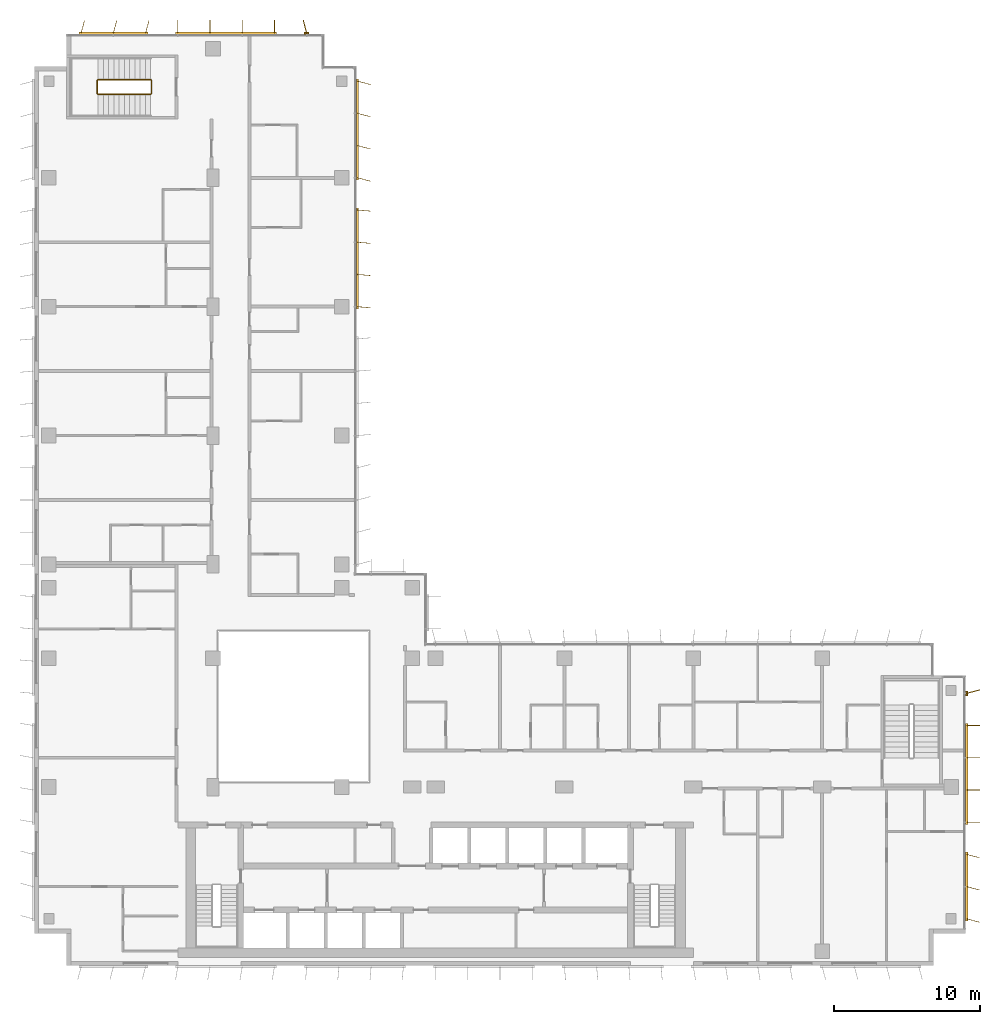
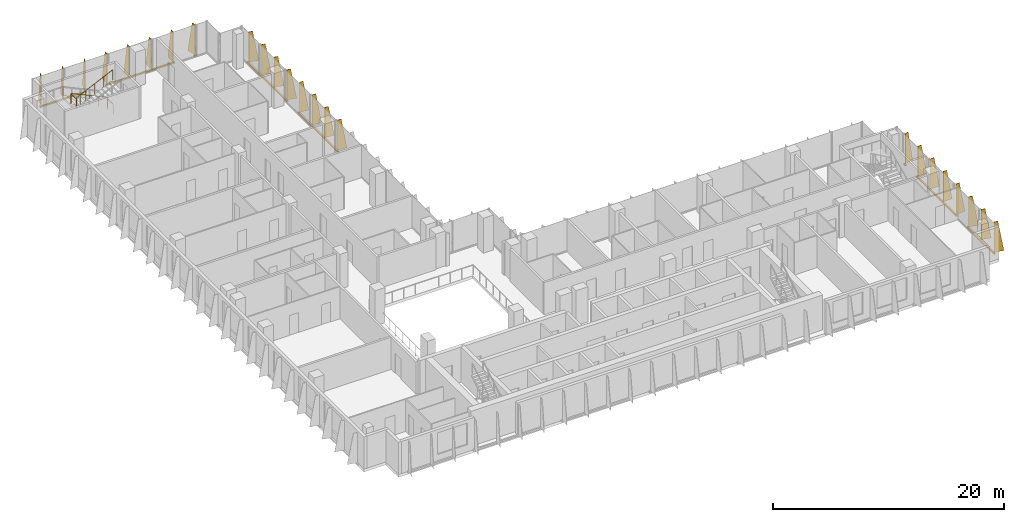
# One storey, part 21 of 21: 8 shading devices, 1 railing.
"""IFC4 building model written with IfcOpenShell, lengths in metres."""

from ifc_helpers import new_model, si_unit, direction, frame, origin, origin_2d, place, context, subcontext, project, spatial, polyline, rectangle, circle, outline, extrude, source, transform, mapped, material, layer, layer_set, type_object, element, save


model = new_model("IFC4")

# Units and contexts
model_context = context("Model", 3, precision=1e-05, world=origin(), true_north=direction((0.0, 1.0)))
body_context = subcontext(model_context, "Body", "Model", "MODEL_VIEW")
ifc_project = project(units=[si_unit("LENGTHUNIT", "METRE"), si_unit("AREAUNIT", "SQUARE_METRE"), si_unit("VOLUMEUNIT", "CUBIC_METRE"), si_unit("PLANEANGLEUNIT", "RADIAN"), si_unit("MASSUNIT", "GRAM", prefix="KILO")], contexts=[model_context])

# Site, building, storey
site_placement = place(None, origin())
site = spatial("IfcSite", under=ifc_project, at=site_placement, CompositionType="ELEMENT")
building_placement = place(site_placement, origin())
building = spatial("IfcBuilding", under=site, at=building_placement, Name="Kemantara Hotel Tower", CompositionType="ELEMENT")
storey_placement = place(building_placement, frame((0.0, 0.0, 211.699951171875)))
storey = spatial("IfcBuildingStorey", under=building, at=storey_placement, Name="L52", CompositionType="ELEMENT", Elevation=211.699951171875)

# Railing
ifc_material_1 = material(Name="Stainless steel balustrade", Category="steel")
railing_type = type_object("IfcRailingType", Name="Stair guard 1100 mm", PredefinedType="GUARDRAIL", material=ifc_material_1)
railing_placement = place(storey_placement, frame((7.949951171875, 59.5, 3.699951171875)))
element("IfcRailing", 1, at=railing_placement, inside=storey, type_object=railing_type, Name="L52 ST4 stair guard 1", PredefinedType="GUARDRAIL", context=body_context, shape_type="SweptSolid", body=[
    extrude(circle(Radius=0.02392578125, at=origin_2d()), frame((0.0, 0.0, 1.076171875), z_axis=(-0.906018243939, 0.0, -0.423238634402), x_axis=(0.0, -1.0, 0.0)), (0.0, 0.0, 1.0), 3.973388671875),
    extrude(circle(Radius=0.02392578125, at=origin_2d()), frame((-3.599853515625, 0.0, -0.60546875), z_axis=(-0.274243871929, 0.274243871929, -0.92172696468), x_axis=(-0.707106781187, -0.707106781187, 0.0)), (0.0, 0.0, 1.0), 0.1826171875),
    extrude(circle(Radius=0.02392578125, at=origin_2d()), frame((-3.64990234375, 0.050048828125, -0.77392578125), z_axis=(0.0, 1.0, 0.0), x_axis=(-1.0, 0.0, 0.0)), (0.0, 0.0, 1.0), 0.89990234375),
    extrude(circle(Radius=0.02392578125, at=origin_2d()), frame((-3.64990234375, 0.949951171875, -0.77392578125), z_axis=(0.707106781187, 0.707106781187, 0.0), x_axis=(-0.707106781187, 0.707106781187, 0.0)), (0.0, 0.0, 1.0), 0.07080078125),
    extrude(circle(Radius=0.02392578125, at=origin_2d()), frame((-3.599853515625, 1.0, -0.77392578125), z_axis=(0.905994681025, 0.0, -0.423289071386), x_axis=(0.0, 1.0, 0.0)), (0.0, 0.0, 1.0), 3.973388671875),
    extrude(circle(Radius=0.02392578125, at=origin_2d()), frame((0.0, 1.0, -2.45556640625), z_axis=(0.274243871929, -0.274243871929, -0.92172696468), x_axis=(0.707106781187, 0.707106781187, 0.0)), (0.0, 0.0, 1.0), 0.1826171875),
    extrude(circle(Radius=0.02392578125, at=origin_2d()), frame((0.050048828125, 0.949951171875, -2.6240234375), z_axis=(0.0, -1.0, 0.0), x_axis=(1.0, 0.0, 0.0)), (0.0, 0.0, 1.0), 0.89990234375),
    extrude(circle(Radius=0.02099609375, at=origin_2d()), origin(), (0.0, 0.0, 1.0), 1.052001953125),
    extrude(circle(Radius=0.02099609375, at=origin_2d()), frame((-0.89990234375, 0.0, -0.42041015625)), (0.0, 0.0, 1.0), 1.052001953125),
    extrude(circle(Radius=0.02099609375, at=origin_2d()), frame((-1.7998046875, 0.0, -0.8408203125)), (0.0, 0.0, 1.0), 1.052001953125),
    extrude(circle(Radius=0.02099609375, at=origin_2d()), frame((-2.699951171875, 0.0, -1.26123046875)), (0.0, 0.0, 1.0), 1.052001953125),
    extrude(circle(Radius=0.02099609375, at=origin_2d()), frame((-3.599853515625, 0.0, -1.681640625)), (0.0, 0.0, 1.0), 1.052001953125),
    extrude(circle(Radius=0.02099609375, at=origin_2d()), frame((-3.64990234375, 0.050048828125, -1.849853515625)), (0.0, 0.0, 1.0), 1.052001953125),
    extrude(circle(Radius=0.02099609375, at=origin_2d()), frame((-3.64990234375, 0.949951171875, -1.849853515625)), (0.0, 0.0, 1.0), 1.052001953125),
    extrude(circle(Radius=0.02099609375, at=origin_2d()), frame((-3.599853515625, 1.0, -1.849853515625)), (0.0, 0.0, 1.0), 1.052001953125),
    extrude(circle(Radius=0.02099609375, at=origin_2d()), frame((-2.699951171875, 1.0, -2.270263671875)), (0.0, 0.0, 1.0), 1.052001953125),
    extrude(circle(Radius=0.02099609375, at=origin_2d()), frame((-1.7998046875, 1.0, -2.69091796875)), (0.0, 0.0, 1.0), 1.052001953125),
    extrude(circle(Radius=0.02099609375, at=origin_2d()), frame((-0.89990234375, 1.0, -3.111328125)), (0.0, 0.0, 1.0), 1.052001953125),
    extrude(circle(Radius=0.02099609375, at=origin_2d()), frame((0.0, 1.0, -3.53173828125)), (0.0, 0.0, 1.0), 1.052001953125),
    extrude(circle(Radius=0.02099609375, at=origin_2d()), frame((0.050048828125, 0.949951171875, -3.699951171875)), (0.0, 0.0, 1.0), 1.052001953125),
    extrude(circle(Radius=0.02099609375, at=origin_2d()), frame((0.050048828125, 0.050048828125, -3.699951171875)), (0.0, 0.0, 1.0), 1.052001953125),
])

# Shading devices
ifc_material_2 = material(Name="Perforated aluminium plate 4 mm bronze anodised", Category="aluminium")
ifc_layer_1 = layer(ifc_material_2, 0.0400390625)
ifc_layer_set_1 = layer_set([ifc_layer_1], Name="Perforated aluminium plate 4 mm bronze anodised")
shading_device_type_1 = type_object("IfcShadingDeviceType", Name="SCREEN FIN CASSETTE, 3 BLADES AT -15.0 DEG, 3200 HIGH", PredefinedType="USERDEFINED", material=ifc_layer_set_1)
shared_shape_1 = source(origin(), body_context, "Body", "SweptSolid", [
    extrude(rectangle(XDim=4.699951171875, YDim=0.14990234375, at=origin_2d()), frame((2.199951171875, -0.074951171875, -0.14990234375), z_axis=(0.0, 0.0, 1.0), x_axis=(1.0, 0.0, 0.0)), (0.0, 0.0, 1.0), 0.14990234375),
    extrude(outline(polyline([(0.0, 0.0), (0.89990234375, 0.0), (0.35009765625, 3.199951171875), (0.0, 3.199951171875), (0.0, 0.0)])), frame((0.019287109375, -0.080078125, 0.0), z_axis=(-0.966437683387, 0.256901156343, 0.0), x_axis=(-0.256901156343, -0.966437683387, 0.0)), (0.0, 0.0, 1.0), 0.039794921875),
    extrude(outline(polyline([(0.0, 0.0), (0.89990234375, 0.0), (0.35009765625, 3.199951171875), (0.0, 3.199951171875), (0.0, 0.0)])), frame((2.21923828125, -0.080078125, 0.0), z_axis=(-0.966437683387, 0.256901156343, 0.0), x_axis=(-0.256901156343, -0.966437683387, 0.0)), (0.0, 0.0, 1.0), 0.039794921875),
    extrude(outline(polyline([(0.0, 0.0), (0.89990234375, 0.0), (0.35009765625, 3.199951171875), (0.0, 3.199951171875), (0.0, 0.0)])), frame((4.41943359375, -0.080078125, 0.0), z_axis=(-0.966837822169, 0.255391122837, 0.0), x_axis=(-0.255391122837, -0.966837822169, 0.0)), (0.0, 0.0, 1.0), 0.0400390625),
])
for number, where, z_axis, x_axis, name in (
    (2, (7.60009765625, 63.60009765625, 0.10009765625), (0.0, 0.0, 1.0), (-1.0, 0.0, 0.0), "SCREEN FIN CASSETTE L52 T3-R02-3"),
    (3, (63.60009765625, 3.199951171875, 0.10009765625), (0.0, 0.0, 1.0), (0.0, 1.0, 0.0), "SCREEN FIN CASSETTE L52 T3-R11-1"),
):
    element("IfcShadingDevice", number, at=place(storey_placement, frame(where, z_axis=z_axis, x_axis=x_axis)), inside=storey, type_object=shading_device_type_1, Name=name, ObjectType="SCREEN FIN", PredefinedType="USERDEFINED", context=body_context, shape_type="MappedRepresentation", body=[
        mapped(shared_shape_1, transform((0.0, 0.0, 0.0))),
    ])
ifc_layer_2 = layer(ifc_material_2, 0.0400390625)
ifc_layer_set_2 = layer_set([ifc_layer_2], Name="Perforated aluminium plate 4 mm bronze anodised")
shading_device_type_2 = type_object("IfcShadingDeviceType", Name="SCREEN FIN CASSETTE, 4 BLADES AT -5.0 DEG, 3200 HIGH", PredefinedType="USERDEFINED", material=ifc_layer_set_2)
shared_shape_2 = source(origin(), body_context, "Body", "SweptSolid", [
    extrude(rectangle(XDim=6.89990234375, YDim=0.14990234375, at=origin_2d()), frame((3.300048828125, -0.074951171875, -0.14990234375), z_axis=(0.0, 0.0, 1.0), x_axis=(1.0, 0.0, 0.0)), (0.0, 0.0, 1.0), 0.14990234375),
    extrude(outline(polyline([(0.0, 0.0), (0.89990234375, 0.0), (0.35009765625, 3.199951171875), (0.0, 3.199951171875), (0.0, 0.0)])), frame((0.02001953125, -0.07666015625, 0.0), z_axis=(-0.996376129781, 0.085056498884, 0.0), x_axis=(-0.085056498884, -0.996376129781, 0.0)), (0.0, 0.0, 1.0), 0.040283203125),
    extrude(outline(polyline([(0.0, 0.0), (0.89990234375, 0.0), (0.35009765625, 3.199951171875), (0.0, 3.199951171875), (0.0, 0.0)])), frame((2.219970703125, -0.07666015625, 0.0), z_axis=(-0.996331773833, 0.085574508182, 0.0), x_axis=(-0.085574508182, -0.996331773833, 0.0)), (0.0, 0.0, 1.0), 0.0400390625),
    extrude(outline(polyline([(0.0, 0.0), (0.89990234375, 0.0), (0.35009765625, 3.199951171875), (0.0, 3.199951171875), (0.0, 0.0)])), frame((4.419921875, -0.07666015625, 0.0), z_axis=(-0.996331773833, 0.085574508182, 0.0), x_axis=(-0.085574508182, -0.996331773833, 0.0)), (0.0, 0.0, 1.0), 0.0400390625),
    extrude(outline(polyline([(0.0, 0.0), (0.89990234375, 0.0), (0.35009765625, 3.199951171875), (0.0, 3.199951171875), (0.0, 0.0)])), frame((6.619873046875, -0.07666015625, 0.0), z_axis=(-0.996331773833, 0.085574508182, 0.0), x_axis=(-0.085574508182, -0.996331773833, 0.0)), (0.0, 0.0, 1.0), 0.0400390625),
])
shading_device_1_placement = place(storey_placement, frame((22.0, 45.0, 0.10009765625), z_axis=(0.0, 0.0, 1.0), x_axis=(0.0, 1.0, 0.0)))
element("IfcShadingDevice", 4, at=shading_device_1_placement, inside=storey, type_object=shading_device_type_2, Name="SCREEN FIN CASSETTE L52 T3-R17-3", ObjectType="SCREEN FIN", PredefinedType="USERDEFINED", context=body_context, shape_type="MappedRepresentation", body=[
    mapped(shared_shape_2, transform((0.0, 0.0, 0.0))),
])
ifc_layer_3 = layer(ifc_material_2, 0.0400390625)
ifc_layer_set_3 = layer_set([ifc_layer_3], Name="Perforated aluminium plate 4 mm bronze anodised")
shading_device_type_3 = type_object("IfcShadingDeviceType", Name="SCREEN FIN CASSETTE, 4 BLADES AT +0.0 DEG, 3200 HIGH", PredefinedType="USERDEFINED", material=ifc_layer_set_3)
shared_shape_3 = source(origin(), body_context, "Body", "SweptSolid", [
    extrude(rectangle(XDim=6.89990234375, YDim=0.14990234375, at=origin_2d()), frame((3.300048828125, -0.074951171875, -0.14990234375), z_axis=(0.0, 0.0, 1.0), x_axis=(1.0, 0.0, 0.0)), (0.0, 0.0, 1.0), 0.14990234375),
    extrude(outline(polyline([(0.0, 0.0), (0.89990234375, 0.0), (0.35009765625, 3.199951171875), (0.0, 3.199951171875), (0.0, 0.0)])), frame((0.02001953125, -0.074951171875, 0.0), z_axis=(-1.0, 0.0, 0.0), x_axis=(0.0, -1.0, 0.0)), (0.0, 0.0, 1.0), 0.0400390625),
    extrude(outline(polyline([(0.0, 0.0), (0.89990234375, 0.0), (0.35009765625, 3.199951171875), (0.0, 3.199951171875), (0.0, 0.0)])), frame((2.219970703125, -0.074951171875, 0.0), z_axis=(-1.0, 0.0, 0.0), x_axis=(0.0, -1.0, 0.0)), (0.0, 0.0, 1.0), 0.0400390625),
    extrude(outline(polyline([(0.0, 0.0), (0.89990234375, 0.0), (0.35009765625, 3.199951171875), (0.0, 3.199951171875), (0.0, 0.0)])), frame((4.419921875, -0.074951171875, 0.0), z_axis=(-1.0, 0.0, 0.0), x_axis=(0.0, -1.0, 0.0)), (0.0, 0.0, 1.0), 0.0400390625),
    extrude(outline(polyline([(0.0, 0.0), (0.89990234375, 0.0), (0.35009765625, 3.199951171875), (0.0, 3.199951171875), (0.0, 0.0)])), frame((6.6201171875, -0.074951171875, 0.0), z_axis=(-1.0, 0.0, 0.0), x_axis=(0.0, -1.0, 0.0)), (0.0, 0.0, 1.0), 0.0400390625),
])
for number, where, z_axis, x_axis, name in (
    (5, (16.39990234375, 63.60009765625, 0.10009765625), (0.0, 0.0, 1.0), (-1.0, 0.0, 0.0), "SCREEN FIN CASSETTE L52 T3-R02-2"),
    (6, (63.60009765625, 9.800048828125, 0.10009765625), (0.0, 0.0, 1.0), (0.0, 1.0, 0.0), "SCREEN FIN CASSETTE L52 T3-R11-2"),
):
    element("IfcShadingDevice", number, at=place(storey_placement, frame(where, z_axis=z_axis, x_axis=x_axis)), inside=storey, type_object=shading_device_type_3, Name=name, ObjectType="SCREEN FIN", PredefinedType="USERDEFINED", context=body_context, shape_type="MappedRepresentation", body=[
        mapped(shared_shape_3, transform((0.0, 0.0, 0.0))),
    ])
ifc_layer_4 = layer(ifc_material_2, 0.0400390625)
ifc_layer_set_4 = layer_set([ifc_layer_4], Name="Perforated aluminium plate 4 mm bronze anodised")
shading_device_type_4 = type_object("IfcShadingDeviceType", Name="SCREEN FIN CASSETTE, 4 BLADES AT -15.0 DEG, 3200 HIGH", PredefinedType="USERDEFINED", material=ifc_layer_set_4)
shared_shape_4 = source(origin(), body_context, "Body", "SweptSolid", [
    extrude(rectangle(XDim=6.89990234375, YDim=0.14990234375, at=origin_2d()), frame((3.300048828125, -0.074951171875, -0.14990234375), z_axis=(0.0, 0.0, 1.0), x_axis=(1.0, 0.0, 0.0)), (0.0, 0.0, 1.0), 0.14990234375),
    extrude(outline(polyline([(0.0, 0.0), (0.89990234375, 0.0), (0.35009765625, 3.199951171875), (0.0, 3.199951171875), (0.0, 0.0)])), frame((0.019287109375, -0.080078125, 0.0), z_axis=(-0.966437683387, 0.256901156343, 0.0), x_axis=(-0.256901156343, -0.966437683387, 0.0)), (0.0, 0.0, 1.0), 0.039794921875),
    extrude(outline(polyline([(0.0, 0.0), (0.89990234375, 0.0), (0.35009765625, 3.199951171875), (0.0, 3.199951171875), (0.0, 0.0)])), frame((2.21923828125, -0.080078125, 0.0), z_axis=(-0.966437683387, 0.256901156343, 0.0), x_axis=(-0.256901156343, -0.966437683387, 0.0)), (0.0, 0.0, 1.0), 0.039794921875),
    extrude(outline(polyline([(0.0, 0.0), (0.89990234375, 0.0), (0.35009765625, 3.199951171875), (0.0, 3.199951171875), (0.0, 0.0)])), frame((4.41943359375, -0.080078125, 0.0), z_axis=(-0.966837822169, 0.255391122837, 0.0), x_axis=(-0.255391122837, -0.966837822169, 0.0)), (0.0, 0.0, 1.0), 0.0400390625),
    extrude(outline(polyline([(0.0, 0.0), (0.89990234375, 0.0), (0.35009765625, 3.199951171875), (0.0, 3.199951171875), (0.0, 0.0)])), frame((6.619384765625, -0.080078125, 0.0), z_axis=(-0.966837822169, 0.255391122837, 0.0), x_axis=(-0.255391122837, -0.966837822169, 0.0)), (0.0, 0.0, 1.0), 0.0400390625),
])
shading_device_2_placement = place(storey_placement, frame((22.0, 53.800048828125, 0.10009765625), z_axis=(0.0, 0.0, 1.0), x_axis=(0.0, 1.0, 0.0)))
element("IfcShadingDevice", 7, at=shading_device_2_placement, inside=storey, type_object=shading_device_type_4, Name="SCREEN FIN CASSETTE L52 T3-R17-4", ObjectType="SCREEN FIN", PredefinedType="USERDEFINED", context=body_context, shape_type="MappedRepresentation", body=[
    mapped(shared_shape_4, transform((0.0, 0.0, 0.0))),
])
ifc_layer_5 = layer(ifc_material_2, 0.0400390625)
ifc_layer_set_5 = layer_set([ifc_layer_5], Name="Perforated aluminium plate 4 mm bronze anodised")
shading_device_type_5 = type_object("IfcShadingDeviceType", Name="SCREEN FIN CASSETTE, 1 BLADE AT +15.0 DEG, 3200 HIGH", PredefinedType="USERDEFINED", material=ifc_layer_set_5)
shared_shape_5 = source(origin(), body_context, "Body", "SweptSolid", [
    extrude(rectangle(XDim=0.300048828125, YDim=0.14990234375, at=origin_2d()), frame((0.0, -0.074951171875, -0.14990234375), z_axis=(0.0, 0.0, 1.0), x_axis=(1.0, 0.0, 0.0)), (0.0, 0.0, 1.0), 0.14990234375),
    extrude(outline(polyline([(0.0, 0.0), (0.89990234375, 0.0), (0.35009765625, 3.199951171875), (0.0, 3.199951171875), (0.0, 0.0)])), frame((0.019287109375, -0.06982421875, 0.0), z_axis=(-0.966437683387, -0.256901156343, 0.0), x_axis=(0.256901156343, -0.966437683387, 0.0)), (0.0, 0.0, 1.0), 0.039794921875),
])
for number, where, z_axis, x_axis, name in (
    (8, (18.60009765625, 63.60009765625, 0.10009765625), (0.0, 0.0, 1.0), (-1.0, 0.0, 0.0), "SCREEN FIN CASSETTE L52 T3-R02-1"),
    (9, (63.60009765625, 18.60009765625, 0.10009765625), (0.0, 0.0, 1.0), (0.0, 1.0, 0.0), "SCREEN FIN CASSETTE L52 T3-R11-3"),
):
    element("IfcShadingDevice", number, at=place(storey_placement, frame(where, z_axis=z_axis, x_axis=x_axis)), inside=storey, type_object=shading_device_type_5, Name=name, ObjectType="SCREEN FIN", PredefinedType="USERDEFINED", context=body_context, shape_type="MappedRepresentation", body=[
        mapped(shared_shape_5, transform((0.0, 0.0, 0.0))),
    ])

save(model, "model.ifc")
